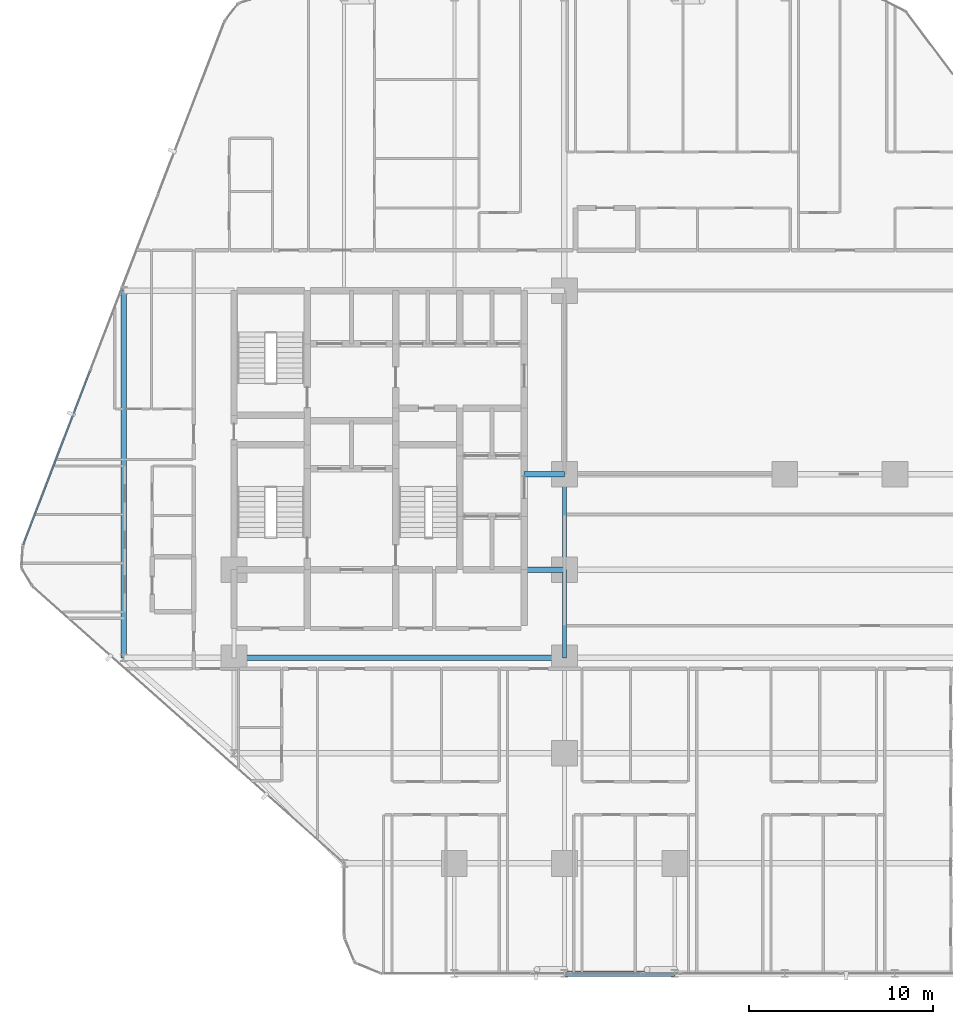
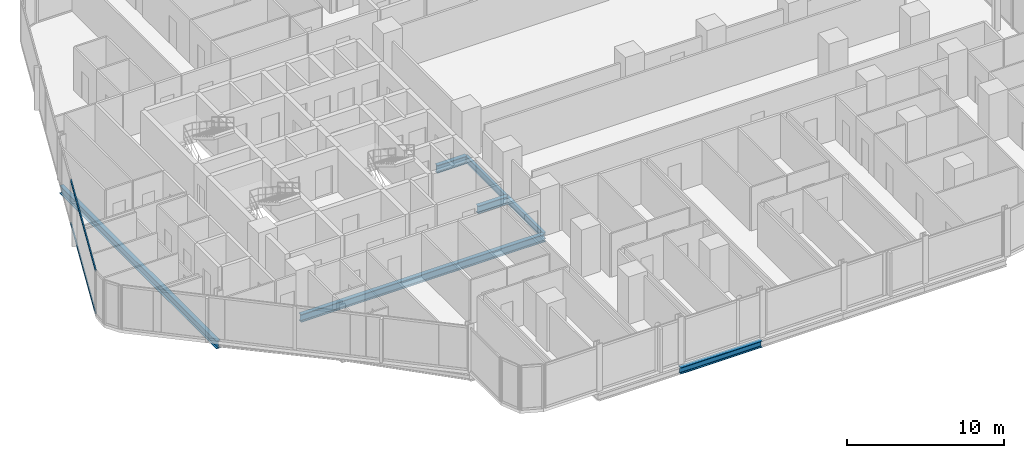
# One storey, part 6 of 34: 7 beams, 2 members, 1 element without a shape of its own.
"""IFC4 building model written with IfcOpenShell, lengths in metres."""

import ifcopenshell
import ifcopenshell.guid

model = None  # the IFC model being written
_history = None  # IfcOwnerHistory: only IFC2X3 demands one
_inside = {}  # id of a spatial element -> (the spatial element, [elements in it])
_under = {}  # id of a project, library or spatial element -> (it, [spatial elements below it])
_declared = {}  # id of a project -> (the project, [libraries it declares])
_typed = {}  # id of a type object -> (the type object, [elements of that type])
_made_of = {}  # id of a material, layer set ... -> (it, [elements and type objects made of it])


def new_model(schema):
    """Start an empty IFC model of exactly this schema.

    Asked for "IFC4X3", IfcOpenShell would pick the latest addendum, in which some entities
    have other attributes; the version numbers below select the first issue.
    IFC2X3 requires an IfcOwnerHistory on every rooted entity: one is made here for all.
    """
    global model, _history
    if schema == "IFC4X3":
        model = ifcopenshell.file(schema_version=(4, 3, 0, 0))
    else:
        model = ifcopenshell.file(schema=schema)
    _inside.clear()
    _under.clear()
    _declared.clear()
    _typed.clear()
    _made_of.clear()
    _history = None
    if model.schema == "IFC2X3":
        org = make("IfcOrganization", Name="unknown")
        user = make(
            "IfcPersonAndOrganization",
            ThePerson=make("IfcPerson", FamilyName="unknown"),
            TheOrganization=org,
        )
        app = make(
            "IfcApplication",
            ApplicationDeveloper=org,
            Version="unknown",
            ApplicationFullName="unknown",
            ApplicationIdentifier="unknown",
        )
        _history = make(
            "IfcOwnerHistory",
            OwningUser=user,
            OwningApplication=app,
            ChangeAction="ADDED",
            CreationDate=0,
        )
    return model


def make(cls, **values):
    """One entity of the class cls with the attributes given. An attribute that is None is left unset."""
    return model.create_entity(
        cls, **{name: value for name, value in values.items() if value is not None}
    )


def rooted(cls, **values):
    """An entity with a GlobalId (a new one), such as an element, a storey or a relation."""
    return make(cls, GlobalId=ifcopenshell.guid.new(), OwnerHistory=_history, **values)


def si_unit(unit_type, name, prefix=None):
    """IfcSIUnit, for example si_unit("LENGTHUNIT", "METRE", prefix="MILLI")."""
    return make("IfcSIUnit", UnitType=unit_type, Prefix=prefix, Name=name)


def assignment(units):
    """IfcUnitAssignment: the units of a project."""
    return None if units is None else make("IfcUnitAssignment", Units=units)


def point(xyz):
    """IfcCartesianPoint."""
    return None if xyz is None else make("IfcCartesianPoint", Coordinates=xyz)


def direction(xyz):
    """IfcDirection."""
    return None if xyz is None else make("IfcDirection", DirectionRatios=xyz)


def frame(location, z_axis=None, x_axis=None):
    """IfcAxis2Placement3D, a coordinate frame: its origin and axes. An axis left out is left unset."""
    return make(
        "IfcAxis2Placement3D",
        Location=point(location),
        Axis=direction(z_axis),
        RefDirection=direction(x_axis),
    )


def frame_2d(location, x_axis=None):
    """IfcAxis2Placement2D, a coordinate frame in the plane: its origin and x axis."""
    return make(
        "IfcAxis2Placement2D", Location=point(location), RefDirection=direction(x_axis)
    )


def origin():
    """The frame at (0, 0, 0) with its axes left unset."""
    return frame((0.0, 0.0, 0.0))


def origin_2d():
    """The frame at (0, 0) in the plane with its x axis left unset."""
    return frame_2d((0.0, 0.0))


def place(relative_to, where):
    """IfcLocalPlacement: puts the frame where relative to a parent placement (None: the world)."""
    return make(
        "IfcLocalPlacement", PlacementRelTo=relative_to, RelativePlacement=where
    )


def context(
    kind, dimensions, precision=None, world=None, true_north=None, identifier=None
):
    """IfcGeometricRepresentationContext, for example the 3D "Model" context."""
    return make(
        "IfcGeometricRepresentationContext",
        ContextIdentifier=identifier,
        ContextType=kind,
        CoordinateSpaceDimension=dimensions,
        Precision=precision,
        WorldCoordinateSystem=world,
        TrueNorth=true_north,
    )


def subcontext(parent, identifier, kind, view, scale=None):
    """IfcGeometricRepresentationSubContext, for example "Body" below "Model"."""
    return make(
        "IfcGeometricRepresentationSubContext",
        ContextIdentifier=identifier,
        ContextType=kind,
        ParentContext=parent,
        TargetScale=scale,
        TargetView=view,
    )


def project(units=None, contexts=None):
    """IfcProject with its units and contexts."""
    return rooted(
        "IfcProject",
        Name="project",
        RepresentationContexts=contexts,
        UnitsInContext=assignment(units),
    )


def spatial(cls, under=None, at=None, **own):
    """A site, building, storey or space (cls), placed at a placement, below another one or the project."""
    s = rooted(cls, ObjectPlacement=at, **own)
    if under is not None:
        _under.setdefault(under.id(), (under, []))[1].append(s)
    return s


def profile(cls, at=None, kind="AREA", **sizes):
    """A parametric profile (cls). Its sizes go by their IFC names, for example OverallWidth=200.0."""
    return make(cls, ProfileType=kind, Position=at, **sizes)


def hollow_rectangle(**sizes):
    """IfcRectangleHollowProfileDef."""
    return profile("IfcRectangleHollowProfileDef", **sizes)


def i_section(**sizes):
    """IfcIShapeProfileDef."""
    return profile("IfcIShapeProfileDef", **sizes)


def extrude(swept, where, along, depth):
    """IfcExtrudedAreaSolid: the profile swept, set in the frame where, extruded along a direction by depth."""
    return make(
        "IfcExtrudedAreaSolid",
        SweptArea=swept,
        Position=where,
        ExtrudedDirection=direction(along),
        Depth=depth,
    )


def shape(context_of_items, identifier, shape_type, items):
    """IfcShapeRepresentation: the items that make up one representation, for example the "Body"."""
    return make(
        "IfcShapeRepresentation",
        ContextOfItems=context_of_items,
        RepresentationIdentifier=identifier,
        RepresentationType=shape_type,
        Items=items,
    )


def material(Name=None, Category=None):
    """IfcMaterial."""
    return make("IfcMaterial", Name=Name, Category=Category)


def layer(
    of_material, thickness, ventilated=None, Name=None, Category=None, Priority=None
):
    """IfcMaterialLayer: one layer of a wall or slab, of a material (None: an air gap)."""
    return make(
        "IfcMaterialLayer",
        Material=of_material,
        LayerThickness=thickness,
        IsVentilated=ventilated,
        Name=Name,
        Category=Category,
        Priority=Priority,
    )


def layer_set(layers, Name=None):
    """IfcMaterialLayerSet."""
    return make("IfcMaterialLayerSet", MaterialLayers=layers, LayerSetName=Name)


def material_profile(
    of_material, cross_section, Name=None, Category=None, Priority=None
):
    """IfcMaterialProfile: a cross section and its material."""
    return make(
        "IfcMaterialProfile",
        Name=Name,
        Material=of_material,
        Profile=cross_section,
        Priority=Priority,
        Category=Category,
    )


def profile_set(profiles, Name=None, composite=None):
    """IfcMaterialProfileSet."""
    return make(
        "IfcMaterialProfileSet",
        Name=Name,
        MaterialProfiles=profiles,
        CompositeProfile=composite,
    )


def made_of(thing, what):
    """Note that an element or type object is made of a material, layer set ...; save() writes the relation."""
    if what is not None:
        _made_of.setdefault(what.id(), (what, []))[1].append(thing)
    return thing


def type_object(cls, material=None, **own):
    """A type object (cls), such as IfcWallType, which elements share."""
    return made_of(rooted(cls, **own), material)


def element(
    cls,
    number,
    at=None,
    inside=None,
    cuts=None,
    type_object=None,
    material=None,
    context=None,
    identifier="Body",
    shape_type=None,
    held_by="IfcProductDefinitionShape",
    body=None,
    shapes=None,
    **own,
):
    """One element of the class cls, such as IfcWall. Its Tag is "e" and its number.

    at: its placement. inside: the storey or other place that contains it. cuts: it is an
    opening in that element (IfcRelVoidsElement). A single representation is given by context,
    identifier, shape_type and body (its items); several are given by shapes. held_by: the class
    of the entity that holds the representations. save() writes the other relations.
    """
    e = rooted(cls, Tag="e%d" % number, ObjectPlacement=at, **own)
    if body is not None:
        shapes = [shape(context, identifier, shape_type, body)]
    if shapes is not None:
        e.Representation = make(held_by, Representations=shapes)
    if inside is not None:
        _inside.setdefault(inside.id(), (inside, []))[1].append(e)
    if cuts is not None:
        rooted(
            "IfcRelVoidsElement", RelatingBuildingElement=cuts, RelatedOpeningElement=e
        )
    if type_object is not None:
        _typed.setdefault(type_object.id(), (type_object, []))[1].append(e)
    return made_of(e, material)


def aggregate(whole, parts):
    """IfcRelAggregates: a whole, such as a stair, and the parts it consists of."""
    return rooted("IfcRelAggregates", RelatingObject=whole, RelatedObjects=parts)


def save(model, path):
    """Write the relations noted so far, then the file.

    IfcRelAggregates (storeys below a building ...), IfcRelContainedInSpatialStructure (elements
    in a storey), IfcRelDefinesByType, IfcRelAssociatesMaterial and IfcRelDeclares: one each for
    every whole, place, type object, material and project.
    """
    for whole, parts in _under.values():
        aggregate(whole, parts)
    for where, things in _inside.values():
        rooted(
            "IfcRelContainedInSpatialStructure",
            RelatedElements=things,
            RelatingStructure=where,
        )
    for kind, things in _typed.values():
        rooted("IfcRelDefinesByType", RelatedObjects=things, RelatingType=kind)
    for what, things in _made_of.values():
        rooted("IfcRelAssociatesMaterial", RelatedObjects=things, RelatingMaterial=what)
    for by, libraries in _declared.values():
        rooted("IfcRelDeclares", RelatingContext=by, RelatedDefinitions=libraries)
    model.write(path)


model = new_model("IFC4")

# Units and contexts
model_context = context("Model", 3, precision=1e-05, world=origin(), true_north=direction((0.0, 1.0)))
body_context = subcontext(model_context, "Body", "Model", "MODEL_VIEW")
ifc_project = project(units=[si_unit("LENGTHUNIT", "METRE"), si_unit("AREAUNIT", "SQUARE_METRE"), si_unit("VOLUMEUNIT", "CUBIC_METRE"), si_unit("PLANEANGLEUNIT", "RADIAN"), si_unit("MASSUNIT", "GRAM", prefix="KILO")], contexts=[model_context])

# Site, building, storey
site_placement = place(None, origin())
site = spatial("IfcSite", under=ifc_project, at=site_placement, CompositionType="ELEMENT")
building_placement = place(site_placement, origin())
building = spatial("IfcBuilding", under=site, at=building_placement, Name="Keshet Zoharim Tower", CompositionType="ELEMENT")
storey_placement = place(building_placement, frame((0.0, 0.0, 31.39990234375)))
storey = spatial("IfcBuildingStorey", under=building, at=storey_placement, Name="L06", CompositionType="ELEMENT", Elevation=31.39990234375)

# Beams
ifc_material_1 = material(Name="Steel S355", Category="steel")
ifc_material_profile_1 = material_profile(ifc_material_1, i_section(OverallWidth=0.300048828125, OverallDepth=0.60009765625, WebThickness=0.015380859375, FlangeThickness=0.030029296875, FilletRadius=0.027099609375, at=origin_2d()), Name="HEB600")
ifc_profile_set_1 = profile_set([ifc_material_profile_1], Name="Steel S355")
beam_type_1 = type_object("IfcBeamType", Name="BM-CLK-HB600", PredefinedType="BEAM", material=ifc_profile_set_1)
for number, where, z_axis, x_axis, name in (
    (1, (30.800048828125, 22.699951171875, -0.614990234375), (1.0, 0.0, 0.0), (0.0, 1.0, 0.0), "L06 Core Wall Link Girder 01"),
    (2, (30.800048828125, 27.89990234375, -0.614990234375), (1.0, 0.0, 0.0), (0.0, 1.0, 0.0), "L06 Core Wall Link Girder 02"),
):
    element("IfcBeam", number, at=place(storey_placement, frame(where, z_axis=z_axis, x_axis=x_axis)), inside=storey, type_object=beam_type_1, Name=name, PredefinedType="BEAM", context=body_context, shape_type="SweptSolid", body=[
        extrude(i_section(OverallWidth=0.300048828125, OverallDepth=0.60009765625, WebThickness=0.015380859375, FlangeThickness=0.030029296875, FilletRadius=0.027099609375, at=origin_2d()), origin(), (0.0, 0.0, 1.0), 2.199951171875),
    ])
ifc_material_profile_2 = material_profile(ifc_material_1, i_section(OverallWidth=0.300048828125, OverallDepth=0.60009765625, WebThickness=0.015380859375, FlangeThickness=0.030029296875, FilletRadius=0.027099609375, at=origin_2d()), Name="HEB600")
ifc_profile_set_2 = profile_set([ifc_material_profile_2], Name="Steel S355")
beam_type_2 = type_object("IfcBeamType", Name="BM-LNG-HB600", PredefinedType="BEAM", material=ifc_profile_set_2)
beam_1_placement = place(storey_placement, frame((15.0, 17.89990234375, -0.614990234375), z_axis=(1.0, 0.0, 0.0), x_axis=(0.0, 1.0, 0.0)))
element("IfcBeam", 3, at=beam_1_placement, inside=storey, type_object=beam_type_2, Name="L06 Primary Girder X-016", PredefinedType="BEAM", context=body_context, shape_type="SweptSolid", body=[
    extrude(i_section(OverallWidth=0.300048828125, OverallDepth=0.60009765625, WebThickness=0.015380859375, FlangeThickness=0.030029296875, FilletRadius=0.027099609375, at=origin_2d()), origin(), (0.0, 0.0, 1.0), 18.0),
])
beam_2_placement = place(storey_placement, frame((9.0, 17.89990234375, -0.614990234375), z_axis=(0.0, 1.0, 0.0), x_axis=(-1.0, 0.0, 0.0)))
element("IfcBeam", 4, at=beam_2_placement, inside=storey, type_object=beam_type_2, Name="L06 Primary Girder Y-001", PredefinedType="BEAM", context=body_context, shape_type="SweptSolid", body=[
    extrude(i_section(OverallWidth=0.300048828125, OverallDepth=0.60009765625, WebThickness=0.015380859375, FlangeThickness=0.030029296875, FilletRadius=0.027099609375, at=origin_2d()), origin(), (0.0, 0.0, 1.0), 20.0),
])
ifc_material_profile_3 = material_profile(ifc_material_1, i_section(OverallWidth=0.199951171875, OverallDepth=0.5, WebThickness=0.01025390625, FlangeThickness=0.01611328125, FilletRadius=0.02099609375, at=origin_2d()), Name="IPE500")
ifc_profile_set_3 = profile_set([ifc_material_profile_3], Name="Steel S355")
beam_type_3 = type_object("IfcBeamType", Name="BM-PRI-IP500", PredefinedType="BEAM", material=ifc_profile_set_3)
beam_3_placement = place(storey_placement, frame((33.0, 17.89990234375, -0.56494140625), z_axis=(0.0, 1.0, 0.0), x_axis=(-1.0, 0.0, 0.0)))
element("IfcBeam", 5, at=beam_3_placement, inside=storey, type_object=beam_type_3, Name="L06 Primary Girder Y-008", PredefinedType="BEAM", context=body_context, shape_type="SweptSolid", body=[
    extrude(i_section(OverallWidth=0.199951171875, OverallDepth=0.5, WebThickness=0.01025390625, FlangeThickness=0.01611328125, FilletRadius=0.02099609375, at=origin_2d()), origin(), (0.0, 0.0, 1.0), 4.800048828125),
])
beam_4_placement = place(storey_placement, frame((33.0, 22.699951171875, -0.56494140625), z_axis=(0.0, 1.0, 0.0), x_axis=(-1.0, 0.0, 0.0)))
element("IfcBeam", 6, at=beam_4_placement, inside=storey, type_object=beam_type_3, Name="L06 Primary Girder Y-009", PredefinedType="BEAM", context=body_context, shape_type="SweptSolid", body=[
    extrude(i_section(OverallWidth=0.199951171875, OverallDepth=0.5, WebThickness=0.01025390625, FlangeThickness=0.01611328125, FilletRadius=0.02099609375, at=origin_2d()), origin(), (0.0, 0.0, 1.0), 5.199951171875),
])
ifc_material_profile_4 = material_profile(ifc_material_1, i_section(OverallWidth=0.300048828125, OverallDepth=0.5, WebThickness=0.014404296875, FlangeThickness=0.028076171875, FilletRadius=0.027099609375, at=origin_2d()), Name="HEB500")
ifc_profile_set_4 = profile_set([ifc_material_profile_4], Name="Steel S355")
beam_type_4 = type_object("IfcBeamType", Name="BM-WEB-HB500", PredefinedType="BEAM", material=ifc_profile_set_4)
beam_5_placement = place(storey_placement, frame((33.0, 0.699951171875, -0.56494140625), z_axis=(1.0, 0.0, 0.0), x_axis=(0.0, 1.0, 0.0)))
element("IfcBeam", 7, at=beam_5_placement, inside=storey, type_object=beam_type_4, Name="L06 Primary Girder X-002", PredefinedType="BEAM", context=body_context, shape_type="SweptSolid", body=[
    extrude(i_section(OverallWidth=0.300048828125, OverallDepth=0.5, WebThickness=0.014404296875, FlangeThickness=0.028076171875, FilletRadius=0.027099609375, at=origin_2d()), origin(), (0.0, 0.0, 1.0), 6.0),
])

# Curtain wall, members
ifc_material_2 = material(Name="Aluminium 6063-T6", Category="aluminium")
ifc_layer = layer(ifc_material_2, 0.179931640625)
ifc_layer_set = layer_set([ifc_layer], Name="Aluminium 6063-T6")
curtain_wall_type = type_object("IfcCurtainWallType", Name="CW-SYS-01", PredefinedType="NOTDEFINED", material=ifc_layer_set)
curtain_wall_placement = place(storey_placement, origin())
curtain_wall = element("IfcCurtainWall", 8, at=curtain_wall_placement, inside=storey, type_object=curtain_wall_type, Name="L06 Unitised Curtain Wall 04", PredefinedType="NOTDEFINED")
ifc_material_profile_5 = material_profile(ifc_material_2, hollow_rectangle(XDim=0.0849609375, YDim=0.159912109375, WallThickness=0.00439453125, at=origin_2d()), Name="TRN-85x160")
ifc_profile_set_5 = profile_set([ifc_material_profile_5], Name="Aluminium 6063-T6")
member_type = type_object("IfcMemberType", Name="CWT-T16", PredefinedType="USERDEFINED", material=ifc_profile_set_5)
member_1_placement = place(storey_placement, frame((3.522216796875, 24.058349609375, 0.03515625), z_axis=(0.358993631387, 0.93334000912, 0.0), x_axis=(-0.93334000912, 0.358993631387, 0.0)))
member_1 = element("IfcMember", 9, at=member_1_placement, type_object=member_type, Name="CW-01 transom 1.1", ObjectType="TRANSOM", PredefinedType="USERDEFINED", context=body_context, shape_type="SweptSolid", body=[
    extrude(hollow_rectangle(XDim=0.0849609375, YDim=0.159912109375, WallThickness=0.00439453125, at=origin_2d()), origin(), (0.0, 0.0, 1.0), 10.1181640625),
])
member_2_placement = place(storey_placement, frame((3.522216796875, 24.058349609375, 3.35009765625), z_axis=(0.358993631387, 0.93334000912, 0.0), x_axis=(-0.93334000912, 0.358993631387, 0.0)))
member_2 = element("IfcMember", 10, at=member_2_placement, type_object=member_type, Name="CW-01 transom 1.2", ObjectType="TRANSOM", PredefinedType="USERDEFINED", context=body_context, shape_type="SweptSolid", body=[
    extrude(hollow_rectangle(XDim=0.0849609375, YDim=0.159912109375, WallThickness=0.00439453125, at=origin_2d()), origin(), (0.0, 0.0, 1.0), 10.1181640625),
])
aggregate(curtain_wall, [member_1, member_2])

save(model, "model.ifc")
